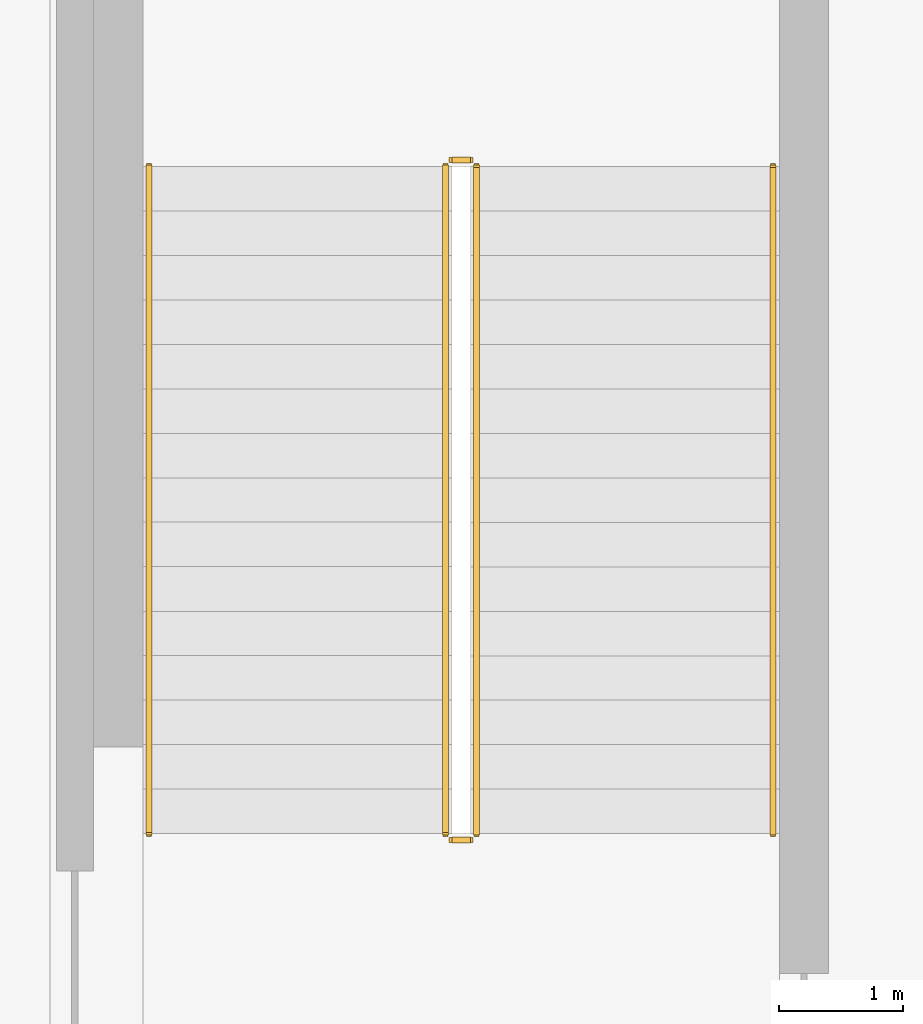
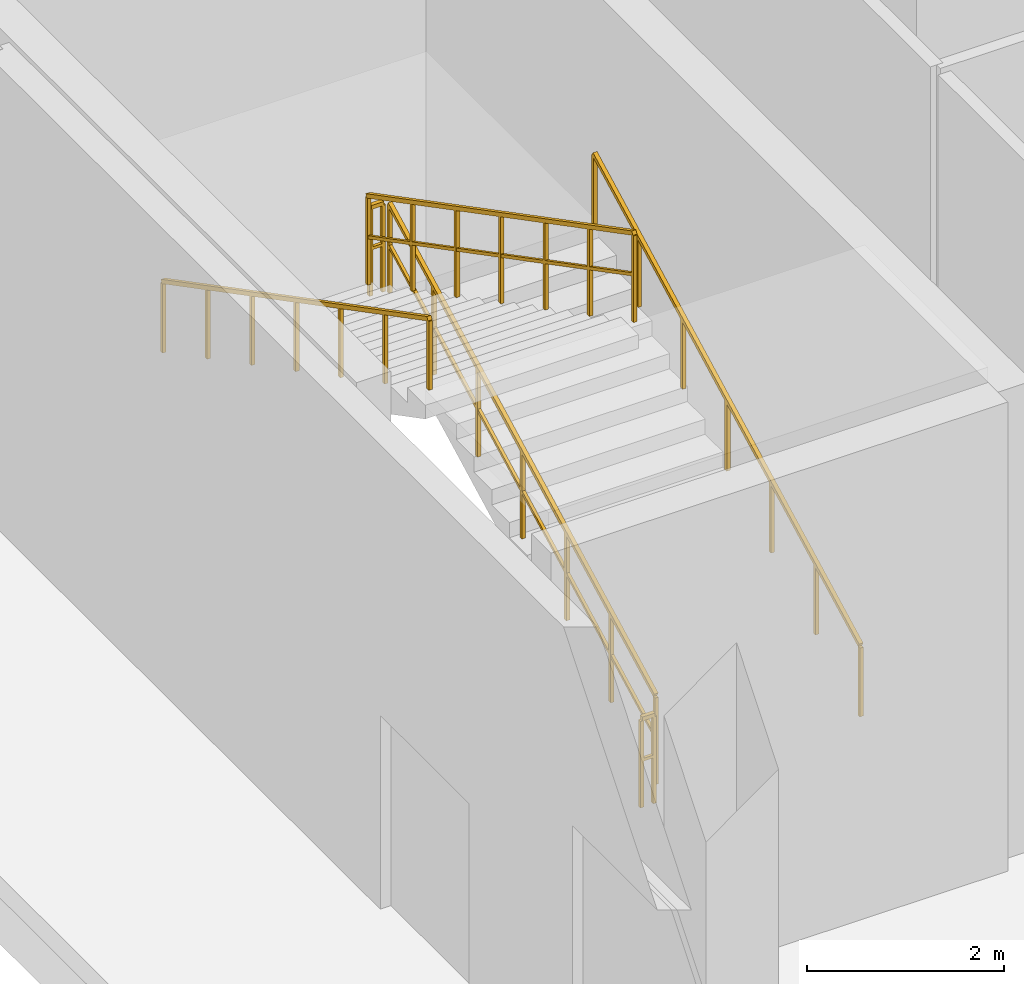
# One storey, part 33 of 39: 6 railings.
"""IFC4 building model written with IfcOpenShell, lengths in metres."""

from ifc_helpers import new_model, si_unit, direction, frame, origin, origin_2d, place, context, subcontext, project, spatial, rectangle, extrude, material, type_object, element, save


model = new_model("IFC4")

# Units and contexts
model_context = context("Model", 3, precision=1e-05, world=origin(), true_north=direction((0.0, 1.0)))
body_context = subcontext(model_context, "Body", "Model", "MODEL_VIEW")
ifc_project = project(units=[si_unit("LENGTHUNIT", "METRE"), si_unit("AREAUNIT", "SQUARE_METRE"), si_unit("VOLUMEUNIT", "CUBIC_METRE"), si_unit("PLANEANGLEUNIT", "RADIAN"), si_unit("MASSUNIT", "GRAM", prefix="KILO")], contexts=[model_context])

# Site, building, storey
site_placement = place(None, origin())
site = spatial("IfcSite", under=ifc_project, at=site_placement, CompositionType="ELEMENT")
building_placement = place(site_placement, origin())
building = spatial("IfcBuilding", under=site, at=building_placement, Name="Zuhayl Quay Hotel", CompositionType="ELEMENT")
storey_placement = place(building_placement, origin())
storey = spatial("IfcBuildingStorey", under=building, at=storey_placement, Name="L00", CompositionType="ELEMENT", Elevation=0.0)

# Railings
ifc_material = material(Name="Steel ASTM A992 Grade 50", Category="steel")
railing_type_1 = type_object("IfcRailingType", Name="RL_GUARD_1100", PredefinedType="GUARDRAIL", material=ifc_material)
railing_1_placement = place(storey_placement, frame((-32.75, -11.10009765625, 0.1875)))
element("IfcRailing", 1, at=railing_1_placement, inside=storey, type_object=railing_type_1, Name="L00 ST3 stair guard 1", PredefinedType="GUARDRAIL", context=body_context, shape_type="SweptSolid", body=[
    extrude(rectangle(XDim=0.048095703125, YDim=0.048095703125, at=origin_2d()), frame((0.0, 0.0, 1.09619140625), z_axis=(0.0, 0.886919217812, 0.461924562105), x_axis=(-1.0, 0.0, 0.0)), (0.0, 0.0, 1.0), 6.088623046875),
    extrude(rectangle(XDim=0.0361328125, YDim=0.0361328125, at=origin_2d()), frame((0.0, 0.0, 0.58251953125), z_axis=(0.0, 0.886919217812, 0.461924562105), x_axis=(-1.0, 0.0, 0.0)), (0.0, 0.0, 1.0), 6.088623046875),
    extrude(rectangle(XDim=0.0419921875, YDim=0.0419921875, at=origin_2d()), origin(), (0.0, 0.0, 1.0), 1.072021484375),
    extrude(rectangle(XDim=0.0419921875, YDim=0.0419921875, at=origin_2d()), frame((0.0, 0.89990234375, 0.46875)), (0.0, 0.0, 1.0), 1.072021484375),
    extrude(rectangle(XDim=0.0419921875, YDim=0.0419921875, at=origin_2d()), frame((0.0, 1.800048828125, 0.9375)), (0.0, 0.0, 1.0), 1.072021484375),
    extrude(rectangle(XDim=0.0419921875, YDim=0.0419921875, at=origin_2d()), frame((0.0, 2.7001953125, 1.40625)), (0.0, 0.0, 1.0), 1.072021484375),
    extrude(rectangle(XDim=0.0419921875, YDim=0.0419921875, at=origin_2d()), frame((0.0, 3.60009765625, 1.875)), (0.0, 0.0, 1.0), 1.072021484375),
    extrude(rectangle(XDim=0.0419921875, YDim=0.0419921875, at=origin_2d()), frame((0.0, 4.5, 2.34375)), (0.0, 0.0, 1.0), 1.072021484375),
    extrude(rectangle(XDim=0.0419921875, YDim=0.0419921875, at=origin_2d()), frame((0.0, 5.400146484375, 2.8125)), (0.0, 0.0, 1.0), 1.072021484375),
])
railing_2_placement = place(storey_placement, frame((-32.800048828125, -5.64990234375, 3.0)))
element("IfcRailing", 2, at=railing_2_placement, inside=storey, type_object=railing_type_1, Name="L00 ST3 stair guard 2", PredefinedType="GUARDRAIL", context=body_context, shape_type="SweptSolid", body=[
    extrude(rectangle(XDim=0.048095703125, YDim=0.048095703125, at=origin_2d()), frame((0.0, 0.0, 1.09619140625), z_axis=(-1.0, 0.0, 0.0), x_axis=(0.0, -1.0, 0.0)), (0.0, 0.0, 1.0), 0.14990234375),
    extrude(rectangle(XDim=0.0361328125, YDim=0.0361328125, at=origin_2d()), frame((0.0, 0.0, 0.58251953125), z_axis=(-1.0, 0.0, 0.0), x_axis=(0.0, -1.0, 0.0)), (0.0, 0.0, 1.0), 0.14990234375),
    extrude(rectangle(XDim=0.0419921875, YDim=0.0419921875, at=origin_2d()), origin(), (0.0, 0.0, 1.0), 1.072021484375),
    extrude(rectangle(XDim=0.0419921875, YDim=0.0419921875, at=origin_2d()), frame((-0.14990234375, 0.0, 0.0)), (0.0, 0.0, 1.0), 1.072021484375),
])
railing_3_placement = place(storey_placement, frame((-33.0, -5.699951171875, 3.1875)))
element("IfcRailing", 3, at=railing_3_placement, inside=storey, type_object=railing_type_1, Name="L00 ST3 stair guard 3", PredefinedType="GUARDRAIL", context=body_context, shape_type="SweptSolid", body=[
    extrude(rectangle(XDim=0.048095703125, YDim=0.048095703125, at=origin_2d()), frame((0.0, 0.0, 1.09619140625), z_axis=(0.0, -0.886919217812, 0.461924562105), x_axis=(1.0, 0.0, 0.0)), (0.0, 0.0, 1.0), 6.088623046875),
    extrude(rectangle(XDim=0.0361328125, YDim=0.0361328125, at=origin_2d()), frame((0.0, 0.0, 0.58251953125), z_axis=(0.0, -0.886919217812, 0.461924562105), x_axis=(1.0, 0.0, 0.0)), (0.0, 0.0, 1.0), 6.088623046875),
    extrude(rectangle(XDim=0.0419921875, YDim=0.0419921875, at=origin_2d()), origin(), (0.0, 0.0, 1.0), 1.072021484375),
    extrude(rectangle(XDim=0.0419921875, YDim=0.0419921875, at=origin_2d()), frame((0.0, -0.89990234375, 0.46875)), (0.0, 0.0, 1.0), 1.072021484375),
    extrude(rectangle(XDim=0.0419921875, YDim=0.0419921875, at=origin_2d()), frame((0.0, -1.800048828125, 0.9375)), (0.0, 0.0, 1.0), 1.072021484375),
    extrude(rectangle(XDim=0.0419921875, YDim=0.0419921875, at=origin_2d()), frame((0.0, -2.7001953125, 1.40625)), (0.0, 0.0, 1.0), 1.072021484375),
    extrude(rectangle(XDim=0.0419921875, YDim=0.0419921875, at=origin_2d()), frame((0.0, -3.60009765625, 1.875)), (0.0, 0.0, 1.0), 1.072021484375),
    extrude(rectangle(XDim=0.0419921875, YDim=0.0419921875, at=origin_2d()), frame((0.0, -4.5, 2.34375)), (0.0, 0.0, 1.0), 1.072021484375),
    extrude(rectangle(XDim=0.0419921875, YDim=0.0419921875, at=origin_2d()), frame((0.0, -5.400146484375, 2.8125)), (0.0, 0.0, 1.0), 1.072021484375),
])
railing_4_placement = place(storey_placement, frame((-32.800048828125, -11.14990234375, 0.0)))
element("IfcRailing", 4, at=railing_4_placement, inside=storey, type_object=railing_type_1, Name="L00 ST3 stair guard 4", PredefinedType="GUARDRAIL", context=body_context, shape_type="SweptSolid", body=[
    extrude(rectangle(XDim=0.048095703125, YDim=0.048095703125, at=origin_2d()), frame((0.0, 0.0, 1.09619140625), z_axis=(-1.0, 0.0, 0.0), x_axis=(0.0, -1.0, 0.0)), (0.0, 0.0, 1.0), 0.14990234375),
    extrude(rectangle(XDim=0.0361328125, YDim=0.0361328125, at=origin_2d()), frame((0.0, 0.0, 0.58251953125), z_axis=(-1.0, 0.0, 0.0), x_axis=(0.0, -1.0, 0.0)), (0.0, 0.0, 1.0), 0.14990234375),
    extrude(rectangle(XDim=0.0419921875, YDim=0.0419921875, at=origin_2d()), origin(), (0.0, 0.0, 1.0), 1.072021484375),
    extrude(rectangle(XDim=0.0419921875, YDim=0.0419921875, at=origin_2d()), frame((-0.14990234375, 0.0, 0.0)), (0.0, 0.0, 1.0), 1.072021484375),
])
railing_type_2 = type_object("IfcRailingType", Name="RL_HANDRAIL_920", PredefinedType="HANDRAIL", material=ifc_material)
railing_5_placement = place(storey_placement, frame((-30.35009765625, -11.10009765625, 0.1875)))
element("IfcRailing", 5, at=railing_5_placement, inside=storey, type_object=railing_type_2, Name="L00 ST3 stair handrail 1", PredefinedType="HANDRAIL", context=body_context, shape_type="SweptSolid", body=[
    extrude(rectangle(XDim=0.048095703125, YDim=0.048095703125, at=origin_2d()), frame((0.0, 0.0, 0.8759765625), z_axis=(0.0, 0.886919217812, 0.461924562105), x_axis=(-1.0, 0.0, 0.0)), (0.0, 0.0, 1.0), 6.088623046875),
    extrude(rectangle(XDim=0.0419921875, YDim=0.0419921875, at=origin_2d()), origin(), (0.0, 0.0, 1.0), 0.851806640625),
    extrude(rectangle(XDim=0.0419921875, YDim=0.0419921875, at=origin_2d()), frame((0.0, 0.89990234375, 0.46875)), (0.0, 0.0, 1.0), 0.851806640625),
    extrude(rectangle(XDim=0.0419921875, YDim=0.0419921875, at=origin_2d()), frame((0.0, 1.800048828125, 0.9375)), (0.0, 0.0, 1.0), 0.851806640625),
    extrude(rectangle(XDim=0.0419921875, YDim=0.0419921875, at=origin_2d()), frame((0.0, 2.7001953125, 1.40625)), (0.0, 0.0, 1.0), 0.851806640625),
    extrude(rectangle(XDim=0.0419921875, YDim=0.0419921875, at=origin_2d()), frame((0.0, 3.60009765625, 1.875)), (0.0, 0.0, 1.0), 0.851806640625),
    extrude(rectangle(XDim=0.0419921875, YDim=0.0419921875, at=origin_2d()), frame((0.0, 4.5, 2.34375)), (0.0, 0.0, 1.0), 0.851806640625),
    extrude(rectangle(XDim=0.0419921875, YDim=0.0419921875, at=origin_2d()), frame((0.0, 5.400146484375, 2.8125)), (0.0, 0.0, 1.0), 0.851806640625),
])
railing_6_placement = place(storey_placement, frame((-35.39990234375, -5.699951171875, 3.1875)))
element("IfcRailing", 6, at=railing_6_placement, inside=storey, type_object=railing_type_2, Name="L00 ST3 stair handrail 2", PredefinedType="HANDRAIL", context=body_context, shape_type="SweptSolid", body=[
    extrude(rectangle(XDim=0.048095703125, YDim=0.048095703125, at=origin_2d()), frame((0.0, 0.0, 0.8759765625), z_axis=(0.0, -0.886919217812, 0.461924562105), x_axis=(1.0, 0.0, 0.0)), (0.0, 0.0, 1.0), 6.088623046875),
    extrude(rectangle(XDim=0.0419921875, YDim=0.0419921875, at=origin_2d()), origin(), (0.0, 0.0, 1.0), 0.851806640625),
    extrude(rectangle(XDim=0.0419921875, YDim=0.0419921875, at=origin_2d()), frame((0.0, -0.89990234375, 0.46875)), (0.0, 0.0, 1.0), 0.851806640625),
    extrude(rectangle(XDim=0.0419921875, YDim=0.0419921875, at=origin_2d()), frame((0.0, -1.800048828125, 0.9375)), (0.0, 0.0, 1.0), 0.851806640625),
    extrude(rectangle(XDim=0.0419921875, YDim=0.0419921875, at=origin_2d()), frame((0.0, -2.7001953125, 1.40625)), (0.0, 0.0, 1.0), 0.851806640625),
    extrude(rectangle(XDim=0.0419921875, YDim=0.0419921875, at=origin_2d()), frame((0.0, -3.60009765625, 1.875)), (0.0, 0.0, 1.0), 0.851806640625),
    extrude(rectangle(XDim=0.0419921875, YDim=0.0419921875, at=origin_2d()), frame((0.0, -4.5, 2.34375)), (0.0, 0.0, 1.0), 0.851806640625),
    extrude(rectangle(XDim=0.0419921875, YDim=0.0419921875, at=origin_2d()), frame((0.0, -5.400146484375, 2.8125)), (0.0, 0.0, 1.0), 0.851806640625),
])

save(model, "model.ifc")
